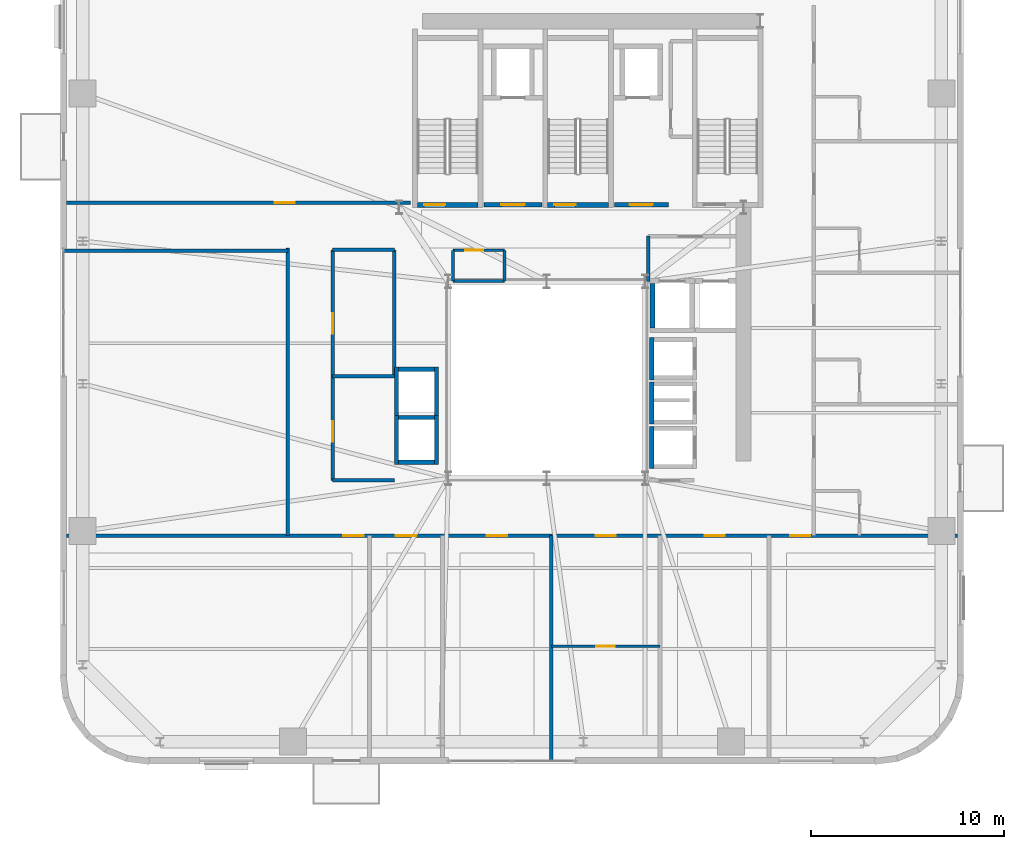
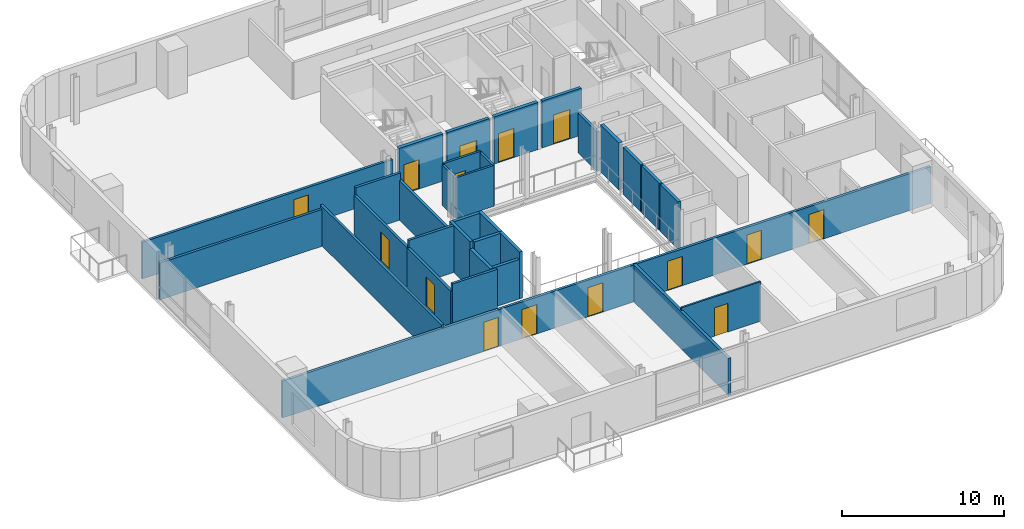
# One storey, part 8 of 16: 32 walls, 15 doors, 15 openings.
"""IFC4 building model written with IfcOpenShell, lengths in metres."""

from ifc_helpers import new_model, si_unit, direction, frame, frame_2d, origin, place, context, subcontext, project, spatial, rectangle, extrude, source, transform, mapped, material, layer, layer_set, type_object, element, fill, save


model = new_model("IFC4")

# Units and contexts
model_context = context("Model", 3, precision=1e-05, world=origin(), true_north=direction((0.0, 1.0)))
body_context = subcontext(model_context, "Body", "Model", "MODEL_VIEW")
ifc_project = project(units=[si_unit("LENGTHUNIT", "METRE"), si_unit("AREAUNIT", "SQUARE_METRE"), si_unit("VOLUMEUNIT", "CUBIC_METRE"), si_unit("PLANEANGLEUNIT", "RADIAN"), si_unit("MASSUNIT", "GRAM", prefix="KILO")], contexts=[model_context])

# Site, building, storey
site_placement = place(None, origin())
site = spatial("IfcSite", under=ifc_project, at=site_placement, CompositionType="ELEMENT")
building_placement = place(site_placement, origin())
building = spatial("IfcBuilding", under=site, at=building_placement, Name="Vardaveli Station Tower", CompositionType="ELEMENT")
storey_placement = place(building_placement, frame((0.0, 0.0, 226.050048828125)))
storey = spatial("IfcBuildingStorey", under=building, at=storey_placement, Name="L58", CompositionType="ELEMENT", Elevation=226.050048828125)

# Wall, opening, door
ifc_material_1 = material(Name="Concrete C40/50", Category="concrete")
ifc_layer_1 = layer(ifc_material_1, 0.25, Name="Concrete C40/50")
ifc_layer_set_1 = layer_set([ifc_layer_1], Name="Concrete C40/50")
wall_type_1 = type_object("IfcWallType", Name="WAL-SHAFT-250", PredefinedType="SOLIDWALL", material=ifc_layer_set_1)
shared_shape_1 = source(origin(), body_context, "Body", "SweptSolid", [
    extrude(rectangle(XDim=3.14990234375, YDim=0.25, at=frame_2d((1.574951171875, 0.0))), origin(), (0.0, 0.0, 1.0), 3.550048828125),
])
wall_1_placement = place(storey_placement, frame((29.60009765625, 30.77490234375, 0.0), z_axis=(0.0, 0.0, 1.0), x_axis=(1.0, 0.0, 0.0)))
wall_1 = element("IfcWall", 1, at=wall_1_placement, inside=storey, type_object=wall_type_1, Name="W-L58-ST-1S", PredefinedType="SOLIDWALL", context=body_context, shape_type="MappedRepresentation", body=[
    mapped(shared_shape_1, transform((0.0, 0.0, 0.0), scale=1.0)),
])
shared_shape_2 = source(origin(), body_context, "Body", "SweptSolid", [
    extrude(rectangle(XDim=1.10009765625, YDim=2.199951171875, at=frame_2d((0.550048828125, 1.10009765625))), frame((0.0, 0.135009765625, 0.0), z_axis=(0.0, -1.0, 0.0), x_axis=(1.0, 0.0, 0.0)), (0.0, 0.0, 1.0), 0.27001953125),
])
opening_1_placement = place(wall_1_placement, frame((0.35009765625, 0.0, 0.0)))
opening_1 = element("IfcOpeningElement", 2, at=opening_1_placement, cuts=wall_1, Name="Opening D-04", PredefinedType="OPENING", context=body_context, shape_type="MappedRepresentation", body=[
    mapped(shared_shape_2, transform((0.0, 0.0, 0.0), scale=1.0)),
])
ifc_material_2 = material(Name="Steel smokeproof fire doorset", Category="steel")
door_type_1 = type_object("IfcDoorType", Name="DR-ST-1100x2200", OperationType="NOTDEFINED", PredefinedType="DOOR", material=ifc_material_2)
shared_shape_3 = source(origin(), body_context, "Body", "SweptSolid", [
    extrude(rectangle(XDim=1.10009765625, YDim=2.199951171875, at=frame_2d((0.550048828125, 1.10009765625))), frame((0.0, 0.02490234375, 0.0), z_axis=(0.0, -1.0, 0.0), x_axis=(1.0, 0.0, 0.0)), (0.0, 0.0, 1.0), 0.050048828125),
])
door_1_placement = place(opening_1_placement, origin())
door_1 = element("IfcDoor", 3, at=door_1_placement, inside=storey, type_object=door_type_1, Name="DST-1-L58", OperationType="SINGLE_SWING_LEFT", OverallHeight=2.199951171875, OverallWidth=1.10009765625, PredefinedType="DOOR", context=body_context, shape_type="MappedRepresentation", body=[
    mapped(shared_shape_3, transform((0.0, 0.0, 0.0), scale=1.0)),
])
fill(opening_1, door_1)

wall_2_placement = place(storey_placement, frame((36.35009765625, 30.77490234375, 0.0), z_axis=(0.0, 0.0, 1.0), x_axis=(1.0, 0.0, 0.0)))
wall_2 = element("IfcWall", 4, at=wall_2_placement, inside=storey, type_object=wall_type_1, Name="W-L58-ST-2S", PredefinedType="SOLIDWALL", context=body_context, shape_type="MappedRepresentation", body=[
    mapped(shared_shape_1, transform((0.0, 0.0, 0.0), scale=1.0)),
])
opening_2_placement = place(wall_2_placement, frame((0.35009765625, 0.0, 0.0)))
opening_2 = element("IfcOpeningElement", 5, at=opening_2_placement, cuts=wall_2, Name="Opening D-04", PredefinedType="OPENING", context=body_context, shape_type="MappedRepresentation", body=[
    mapped(shared_shape_2, transform((0.0, 0.0, 0.0), scale=1.0)),
])
door_2_placement = place(opening_2_placement, origin())
door_2 = element("IfcDoor", 6, at=door_2_placement, inside=storey, type_object=door_type_1, Name="DST-2-L58", OperationType="SINGLE_SWING_LEFT", OverallHeight=2.199951171875, OverallWidth=1.10009765625, PredefinedType="DOOR", context=body_context, shape_type="MappedRepresentation", body=[
    mapped(shared_shape_3, transform((0.0, 0.0, 0.0), scale=1.0)),
])
fill(opening_2, door_2)

ifc_layer_2 = layer(ifc_material_1, 0.219970703125, Name="Concrete C40/50")
ifc_layer_set_2 = layer_set([ifc_layer_2], Name="Concrete C40/50")
wall_type_2 = type_object("IfcWallType", Name="WAL-FFLOBBY-220", PredefinedType="SOLIDWALL", material=ifc_layer_set_2)
shared_shape_4 = source(origin(), body_context, "Body", "SweptSolid", [
    extrude(rectangle(XDim=3.0, YDim=0.219970703125, at=frame_2d((1.5, 0.0))), origin(), (0.0, 0.0, 1.0), 3.530029296875),
])
wall_3_placement = place(storey_placement, frame((33.050048828125, 30.780029296875, 0.0), z_axis=(0.0, 0.0, 1.0), x_axis=(1.0, 0.0, 0.0)))
wall_3 = element("IfcWall", 7, at=wall_3_placement, inside=storey, type_object=wall_type_2, Name="W-L58-FFL1S", PredefinedType="SOLIDWALL", context=body_context, shape_type="MappedRepresentation", body=[
    mapped(shared_shape_4, transform((0.0, 0.0, 0.0), scale=1.0)),
])
shared_shape_5 = source(origin(), body_context, "Body", "SweptSolid", [
    extrude(rectangle(XDim=1.199951171875, YDim=2.199951171875, at=frame_2d((0.60009765625, 1.10009765625))), frame((0.0, 0.1201171875, 0.0), z_axis=(0.0, -1.0, 0.0), x_axis=(1.0, 0.0, 0.0)), (0.0, 0.0, 1.0), 0.239990234375),
])
opening_3_placement = place(wall_3_placement, frame((0.89990234375, 0.0, 0.0)))
opening_3 = element("IfcOpeningElement", 8, at=opening_3_placement, cuts=wall_3, Name="Opening D-03", PredefinedType="OPENING", context=body_context, shape_type="MappedRepresentation", body=[
    mapped(shared_shape_5, transform((0.0, 0.0, 0.0), scale=1.0)),
])
door_type_2 = type_object("IfcDoorType", Name="DR-FFL-1200x2200", OperationType="NOTDEFINED", PredefinedType="DOOR", material=ifc_material_2)
shared_shape_6 = source(origin(), body_context, "Body", "SweptSolid", [
    extrude(rectangle(XDim=1.199951171875, YDim=2.199951171875, at=frame_2d((0.60009765625, 1.10009765625))), frame((0.0, 0.02490234375, 0.0), z_axis=(0.0, -1.0, 0.0), x_axis=(1.0, 0.0, 0.0)), (0.0, 0.0, 1.0), 0.050048828125),
])
door_3_placement = place(opening_3_placement, origin())
door_3 = element("IfcDoor", 9, at=door_3_placement, inside=storey, type_object=door_type_2, Name="DFFL1-L58", OperationType="SINGLE_SWING_LEFT", OverallHeight=2.199951171875, OverallWidth=1.199951171875, PredefinedType="DOOR", context=body_context, shape_type="MappedRepresentation", body=[
    mapped(shared_shape_6, transform((0.0, 0.0, 0.0), scale=1.0)),
])
fill(opening_3, door_3)

shared_shape_7 = source(origin(), body_context, "Body", "SweptSolid", [
    extrude(rectangle(XDim=2.800048828125, YDim=0.219970703125, at=frame_2d((1.39990234375, 0.0))), origin(), (0.0, 0.0, 1.0), 3.530029296875),
])
wall_4_placement = place(storey_placement, frame((39.800048828125, 30.780029296875, 0.0), z_axis=(0.0, 0.0, 1.0), x_axis=(1.0, 0.0, 0.0)))
wall_4 = element("IfcWall", 10, at=wall_4_placement, inside=storey, type_object=wall_type_2, Name="W-L58-FFL2S", PredefinedType="SOLIDWALL", context=body_context, shape_type="MappedRepresentation", body=[
    mapped(shared_shape_7, transform((0.0, 0.0, 0.0), scale=1.0)),
])
opening_4_placement = place(wall_4_placement, frame((0.800048828125, 0.0, 0.0)))
opening_4 = element("IfcOpeningElement", 11, at=opening_4_placement, cuts=wall_4, Name="Opening D-03", PredefinedType="OPENING", context=body_context, shape_type="MappedRepresentation", body=[
    mapped(shared_shape_5, transform((0.0, 0.0, 0.0), scale=1.0)),
])
door_4_placement = place(opening_4_placement, origin())
door_4 = element("IfcDoor", 12, at=door_4_placement, inside=storey, type_object=door_type_2, Name="DFFL2-L58", OperationType="SINGLE_SWING_RIGHT", OverallHeight=2.199951171875, OverallWidth=1.199951171875, PredefinedType="DOOR", context=body_context, shape_type="MappedRepresentation", body=[
    mapped(shared_shape_6, transform((0.0, 0.0, 0.0), scale=1.0)),
])
fill(opening_4, door_4)

# Walls
shared_shape_8 = source(origin(), body_context, "Body", "SweptSolid", [
    extrude(rectangle(XDim=2.18994140625, YDim=0.219970703125, at=frame_2d((1.094970703125, 0.0))), origin(), (0.0, 0.0, 1.0), 3.530029296875),
])
for number, where, z_axis, x_axis, name in (
    (13, (41.739990234375, 21.705078125, 0.0), (0.0, 0.0, 1.0), (0.0, 1.0, 0.0), "SHW-HL3-01-L58-W"),
    (14, (41.739990234375, 19.405029296875, 0.0), (0.0, 0.0, 1.0), (0.0, 1.0, 0.0), "SHW-HL3-02-L58-W"),
    (15, (41.739990234375, 17.10498046875, 0.0), (0.0, 0.0, 1.0), (0.0, 1.0, 0.0), "SHW-HL3-03-L58-W"),
):
    element("IfcWall", number, at=place(storey_placement, frame(where, z_axis=z_axis, x_axis=x_axis)), inside=storey, type_object=wall_type_2, Name=name, PredefinedType="SOLIDWALL", context=body_context, shape_type="MappedRepresentation", body=[
        mapped(shared_shape_8, transform((0.0, 0.0, 0.0), scale=1.0)),
    ])
shared_shape_9 = source(origin(), body_context, "Body", "SweptSolid", [
    extrude(rectangle(XDim=1.85009765625, YDim=0.219970703125, at=frame_2d((0.925048828125, 0.0))), origin(), (0.0, 0.0, 1.0), 2.971923828125),
])
wall_5_placement = place(storey_placement, frame((28.625, 17.43994140625, 0.0), z_axis=(0.0, 0.0, 1.0), x_axis=(1.0, 0.0, 0.0)))
element("IfcWall", 16, at=wall_5_placement, inside=storey, type_object=wall_type_2, Name="SHW-OBS-01-L58-S", PredefinedType="SOLIDWALL", context=body_context, shape_type="MappedRepresentation", body=[
    mapped(shared_shape_9, transform((0.0, 0.0, 0.0), scale=1.0)),
])
shared_shape_10 = source(origin(), body_context, "Body", "SweptSolid", [
    extrude(rectangle(XDim=1.85009765625, YDim=0.219970703125, at=frame_2d((0.925048828125, 0.0))), origin(), (0.0, 0.0, 1.0), 3.530029296875),
])
for number, where, z_axis, x_axis, name in (
    (17, (28.625, 19.760009765625, 0.0), (0.0, 0.0, 1.0), (1.0, 0.0, 0.0), "SHW-OBS-01-L58-N"),
    (18, (28.625, 22.260009765625, 0.0), (0.0, 0.0, 1.0), (1.0, 0.0, 0.0), "SHW-OBS-02-L58-N"),
):
    element("IfcWall", number, at=place(storey_placement, frame(where, z_axis=z_axis, x_axis=x_axis)), inside=storey, type_object=wall_type_2, Name=name, PredefinedType="SOLIDWALL", context=body_context, shape_type="MappedRepresentation", body=[
        mapped(shared_shape_10, transform((0.0, 0.0, 0.0), scale=1.0)),
    ])
shared_shape_11 = source(origin(), body_context, "Body", "SweptSolid", [
    extrude(rectangle(XDim=2.5400390625, YDim=0.219970703125, at=frame_2d((1.27001953125, 0.0))), origin(), (0.0, 0.0, 1.0), 2.971923828125),
])
wall_6_placement = place(storey_placement, frame((28.514892578125, 17.330078125, 0.0), z_axis=(0.0, 0.0, 1.0), x_axis=(0.0, 1.0, 0.0)))
element("IfcWall", 19, at=wall_6_placement, inside=storey, type_object=wall_type_2, Name="SHW-OBS-01-L58-W", PredefinedType="SOLIDWALL", context=body_context, shape_type="MappedRepresentation", body=[
    mapped(shared_shape_11, transform((0.0, 0.0, 0.0), scale=1.0)),
])
shared_shape_12 = source(origin(), body_context, "Body", "SweptSolid", [
    extrude(rectangle(XDim=2.5400390625, YDim=0.219970703125, at=frame_2d((1.27001953125, 0.0))), origin(), (0.0, 0.0, 1.0), 3.530029296875),
])
for number, where, z_axis, x_axis, name in (
    (20, (30.5849609375, 17.330078125, 0.0), (0.0, 0.0, 1.0), (0.0, 1.0, 0.0), "SHW-OBS-01-L58-E"),
    (21, (28.514892578125, 19.830078125, 0.0), (0.0, 0.0, 1.0), (0.0, 1.0, 0.0), "SHW-OBS-02-L58-W"),
    (22, (30.5849609375, 19.830078125, 0.0), (0.0, 0.0, 1.0), (0.0, 1.0, 0.0), "SHW-OBS-02-L58-E"),
):
    element("IfcWall", number, at=place(storey_placement, frame(where, z_axis=z_axis, x_axis=x_axis)), inside=storey, type_object=wall_type_2, Name=name, PredefinedType="SOLIDWALL", context=body_context, shape_type="MappedRepresentation", body=[
        mapped(shared_shape_12, transform((0.0, 0.0, 0.0), scale=1.0)),
    ])
shared_shape_13 = source(origin(), body_context, "Body", "SweptSolid", [
    extrude(rectangle(XDim=2.300048828125, YDim=0.25, at=frame_2d((1.14990234375, 0.0))), origin(), (0.0, 0.0, 1.0), 3.530029296875),
])
wall_7_placement = place(storey_placement, frame((41.77490234375, 24.39990234375, 0.0), z_axis=(0.0, 0.0, 1.0), x_axis=(0.0, 1.0, 0.0)))
element("IfcWall", 23, at=wall_7_placement, inside=storey, type_object=wall_type_1, Name="SHW-SRV-01-L58-W", PredefinedType="SOLIDWALL", context=body_context, shape_type="MappedRepresentation", body=[
    mapped(shared_shape_13, transform((0.0, 0.0, 0.0), scale=1.0)),
])

# Wall, openings, doors
ifc_material_3 = material(Name="Fire-rated gypsum stud partition")
ifc_layer_3 = layer(ifc_material_3, 0.179931640625, Name="Fire-rated gypsum stud partition")
ifc_layer_set_3 = layer_set([ifc_layer_3], Name="Fire-rated gypsum stud partition")
wall_type_3 = type_object("IfcWallType", Name="WAL-CORR-180", PredefinedType="PARTITIONING", material=ifc_layer_set_3)
shared_shape_14 = source(origin(), body_context, "Body", "SweptSolid", [
    extrude(rectangle(XDim=46.15576171875, YDim=0.179931640625, at=frame_2d((23.077880859375, 0.0))), origin(), (0.0, 0.0, 1.0), 2.77197265625),
])
wall_8_placement = place(storey_placement, frame((11.422119140625, 13.6298828125, 0.0), z_axis=(0.0, 0.0, 1.0), x_axis=(1.0, 0.0, 0.0)))
wall_8 = element("IfcWall", 24, at=wall_8_placement, inside=storey, type_object=wall_type_3, Name="W-L58-CS", PredefinedType="PARTITIONING", context=body_context, shape_type="MappedRepresentation", body=[
    mapped(shared_shape_14, transform((0.0, 0.0, 0.0), scale=1.0)),
])
shared_shape_15 = source(origin(), body_context, "Body", "SweptSolid", [
    extrude(rectangle(XDim=1.050048828125, YDim=2.199951171875, at=frame_2d((0.52490234375, 1.10009765625))), frame((0.0, 0.10009765625, 0.0), z_axis=(0.0, -1.0, 0.0), x_axis=(1.0, 0.0, 0.0)), (0.0, 0.0, 1.0), 0.199951171875),
])
opening_5_placement = place(wall_8_placement, frame((14.33837890625, 0.0, 0.0)))
opening_5 = element("IfcOpeningElement", 25, at=opening_5_placement, cuts=wall_8, Name="Opening D-05", PredefinedType="OPENING", context=body_context, shape_type="MappedRepresentation", body=[
    mapped(shared_shape_15, transform((0.0, 0.0, 0.0), scale=1.0)),
])
opening_6_placement = place(wall_8_placement, frame((17.059326171875, 0.0, 0.0)))
opening_6 = element("IfcOpeningElement", 26, at=opening_6_placement, cuts=wall_8, Name="Opening D-05", PredefinedType="OPENING", context=body_context, shape_type="MappedRepresentation", body=[
    mapped(shared_shape_15, transform((0.0, 0.0, 0.0), scale=1.0)),
])
opening_7_placement = place(wall_8_placement, frame((21.771728515625, 0.0, 0.0)))
opening_7 = element("IfcOpeningElement", 27, at=opening_7_placement, cuts=wall_8, Name="Opening D-05", PredefinedType="OPENING", context=body_context, shape_type="MappedRepresentation", body=[
    mapped(shared_shape_15, transform((0.0, 0.0, 0.0), scale=1.0)),
])
opening_8_placement = place(wall_8_placement, frame((27.414306640625, 0.0, 0.0)))
opening_8 = element("IfcOpeningElement", 28, at=opening_8_placement, cuts=wall_8, Name="Opening D-05", PredefinedType="OPENING", context=body_context, shape_type="MappedRepresentation", body=[
    mapped(shared_shape_15, transform((0.0, 0.0, 0.0), scale=1.0)),
])
opening_9_placement = place(wall_8_placement, frame((33.056640625, 0.0, 0.0)))
opening_9 = element("IfcOpeningElement", 29, at=opening_9_placement, cuts=wall_8, Name="Opening D-05", PredefinedType="OPENING", context=body_context, shape_type="MappedRepresentation", body=[
    mapped(shared_shape_15, transform((0.0, 0.0, 0.0), scale=1.0)),
])
opening_10_placement = place(wall_8_placement, frame((37.498046875, 0.0, 0.0)))
opening_10 = element("IfcOpeningElement", 30, at=opening_10_placement, cuts=wall_8, Name="Opening D-05", PredefinedType="OPENING", context=body_context, shape_type="MappedRepresentation", body=[
    mapped(shared_shape_15, transform((0.0, 0.0, 0.0), scale=1.0)),
])
ifc_material_4 = material(Name="Walnut veneer acoustic fire door")
door_type_3 = type_object("IfcDoorType", Name="DR-SUITE-1050x2200", OperationType="NOTDEFINED", PredefinedType="DOOR", material=ifc_material_4)
shared_shape_16 = source(origin(), body_context, "Body", "SweptSolid", [
    extrude(rectangle(XDim=1.050048828125, YDim=2.199951171875, at=frame_2d((0.52490234375, 1.10009765625))), frame((0.0, 0.02490234375, 0.0), z_axis=(0.0, -1.0, 0.0), x_axis=(1.0, 0.0, 0.0)), (0.0, 0.0, 1.0), 0.050048828125),
])
door_5_placement = place(opening_5_placement, origin())
door_5 = element("IfcDoor", 31, at=door_5_placement, inside=storey, type_object=door_type_3, Name="D-L58-SA1", OperationType="SINGLE_SWING_LEFT", OverallHeight=2.199951171875, OverallWidth=1.050048828125, PredefinedType="DOOR", context=body_context, shape_type="MappedRepresentation", body=[
    mapped(shared_shape_16, transform((0.0, 0.0, 0.0), scale=1.0)),
])
fill(opening_5, door_5)
door_6_placement = place(opening_6_placement, origin())
door_6 = element("IfcDoor", 32, at=door_6_placement, inside=storey, type_object=door_type_3, Name="D-L58-SA2", OperationType="SINGLE_SWING_RIGHT", OverallHeight=2.199951171875, OverallWidth=1.050048828125, PredefinedType="DOOR", context=body_context, shape_type="MappedRepresentation", body=[
    mapped(shared_shape_16, transform((0.0, 0.0, 0.0), scale=1.0)),
])
fill(opening_6, door_6)
door_7_placement = place(opening_7_placement, origin())
door_7 = element("IfcDoor", 33, at=door_7_placement, inside=storey, type_object=door_type_3, Name="D-L58-SA3", OperationType="SINGLE_SWING_LEFT", OverallHeight=2.199951171875, OverallWidth=1.050048828125, PredefinedType="DOOR", context=body_context, shape_type="MappedRepresentation", body=[
    mapped(shared_shape_16, transform((0.0, 0.0, 0.0), scale=1.0)),
])
fill(opening_7, door_7)
door_8_placement = place(opening_8_placement, origin())
door_8 = element("IfcDoor", 34, at=door_8_placement, inside=storey, type_object=door_type_3, Name="D-L58-SCB4", OperationType="SINGLE_SWING_RIGHT", OverallHeight=2.199951171875, OverallWidth=1.050048828125, PredefinedType="DOOR", context=body_context, shape_type="MappedRepresentation", body=[
    mapped(shared_shape_16, transform((0.0, 0.0, 0.0), scale=1.0)),
])
fill(opening_8, door_8)
door_9_placement = place(opening_9_placement, origin())
door_9 = element("IfcDoor", 35, at=door_9_placement, inside=storey, type_object=door_type_3, Name="D-L58-SA5", OperationType="SINGLE_SWING_LEFT", OverallHeight=2.199951171875, OverallWidth=1.050048828125, PredefinedType="DOOR", context=body_context, shape_type="MappedRepresentation", body=[
    mapped(shared_shape_16, transform((0.0, 0.0, 0.0), scale=1.0)),
])
fill(opening_9, door_9)
door_10_placement = place(opening_10_placement, origin())
door_10 = element("IfcDoor", 36, at=door_10_placement, inside=storey, type_object=door_type_3, Name="D-L58-SA6", OperationType="SINGLE_SWING_RIGHT", OverallHeight=2.199951171875, OverallWidth=1.050048828125, PredefinedType="DOOR", context=body_context, shape_type="MappedRepresentation", body=[
    mapped(shared_shape_16, transform((0.0, 0.0, 0.0), scale=1.0)),
])
fill(opening_10, door_10)

# Wall, opening, door
shared_shape_17 = source(origin(), body_context, "Body", "SweptSolid", [
    extrude(rectangle(XDim=17.827880859375, YDim=0.179931640625, at=frame_2d((8.9140625, 0.0))), origin(), (0.0, 0.0, 1.0), 2.77197265625),
])
wall_9_placement = place(storey_placement, frame((11.422119140625, 30.8798828125, 0.0), z_axis=(0.0, 0.0, 1.0), x_axis=(1.0, 0.0, 0.0)))
wall_9 = element("IfcWall", 37, at=wall_9_placement, inside=storey, type_object=wall_type_3, Name="W-L58-CNWS", PredefinedType="PARTITIONING", context=body_context, shape_type="MappedRepresentation", body=[
    mapped(shared_shape_17, transform((0.0, 0.0, 0.0), scale=1.0)),
])
opening_11_placement = place(wall_9_placement, frame((10.778076171875, 0.0, 0.0)))
opening_11 = element("IfcOpeningElement", 38, at=opening_11_placement, cuts=wall_9, Name="Opening D-05", PredefinedType="OPENING", context=body_context, shape_type="MappedRepresentation", body=[
    mapped(shared_shape_15, transform((0.0, 0.0, 0.0), scale=1.0)),
])
door_11_placement = place(opening_11_placement, origin())
door_11 = element("IfcDoor", 39, at=door_11_placement, inside=storey, type_object=door_type_3, Name="D-L58-GNW1", OperationType="SINGLE_SWING_RIGHT", OverallHeight=2.199951171875, OverallWidth=1.050048828125, PredefinedType="DOOR", context=body_context, shape_type="MappedRepresentation", body=[
    mapped(shared_shape_16, transform((0.0, 0.0, 0.0), scale=1.0)),
])
fill(opening_11, door_11)

# Wall
shared_shape_18 = source(origin(), body_context, "Body", "SweptSolid", [
    extrude(rectangle(XDim=2.349853515625, YDim=0.179931640625, at=frame_2d((1.1748046875, 0.0))), origin(), (0.0, 0.0, 1.0), 2.971923828125),
])
wall_10_placement = place(storey_placement, frame((41.550048828125, 26.800048828125, 0.0), z_axis=(0.0, 0.0, 1.0), x_axis=(0.0, 1.0, 0.0)))
element("IfcWall", 40, at=wall_10_placement, inside=storey, type_object=wall_type_3, Name="W-L58-SVFW", PredefinedType="PARTITIONING", context=body_context, shape_type="MappedRepresentation", body=[
    mapped(shared_shape_18, transform((0.0, 0.0, 0.0), scale=1.0)),
])

# Wall, opening, door
shared_shape_19 = source(origin(), body_context, "Body", "SweptSolid", [
    extrude(rectangle(XDim=6.5400390625, YDim=0.179931640625, at=frame_2d((3.27001953125, 0.0))), origin(), (0.0, 0.0, 1.0), 2.971923828125),
])
wall_11_placement = place(storey_placement, frame((25.199951171875, 21.89990234375, 0.0), z_axis=(0.0, 0.0, 1.0), x_axis=(0.0, 1.0, 0.0)))
wall_11 = element("IfcWall", 41, at=wall_11_placement, inside=storey, type_object=wall_type_3, Name="W-L58-ATW2-W", PredefinedType="PARTITIONING", context=body_context, shape_type="MappedRepresentation", body=[
    mapped(shared_shape_19, transform((0.0, 0.0, 0.0), scale=1.0)),
])
opening_12_placement = place(wall_11_placement, frame((2.199951171875, 0.0, 0.0)))
opening_12 = element("IfcOpeningElement", 42, at=opening_12_placement, cuts=wall_11, Name="Opening D-05", PredefinedType="OPENING", context=body_context, shape_type="MappedRepresentation", body=[
    mapped(shared_shape_15, transform((0.0, 0.0, 0.0), scale=1.0)),
])
door_12_placement = place(opening_12_placement, origin())
door_12 = element("IfcDoor", 43, at=door_12_placement, inside=storey, type_object=door_type_3, Name="D-L58-ATW2", OperationType="SINGLE_SWING_LEFT", OverallHeight=2.199951171875, OverallWidth=1.050048828125, PredefinedType="DOOR", context=body_context, shape_type="MappedRepresentation", body=[
    mapped(shared_shape_16, transform((0.0, 0.0, 0.0), scale=1.0)),
])
fill(opening_12, door_12)

# Wall
wall_12_placement = place(storey_placement, frame((28.39990234375, 21.89990234375, 0.0), z_axis=(0.0, 0.0, 1.0), x_axis=(0.0, 1.0, 0.0)))
element("IfcWall", 44, at=wall_12_placement, inside=storey, type_object=wall_type_3, Name="W-L58-ATW2-E", PredefinedType="PARTITIONING", context=body_context, shape_type="MappedRepresentation", body=[
    mapped(shared_shape_19, transform((0.0, 0.0, 0.0), scale=1.0)),
])

# Wall, opening, door
shared_shape_20 = source(origin(), body_context, "Body", "SweptSolid", [
    extrude(rectangle(XDim=5.39990234375, YDim=0.179931640625, at=frame_2d((2.699951171875, 0.0))), origin(), (0.0, 0.0, 1.0), 2.971923828125),
])
wall_13_placement = place(storey_placement, frame((25.199951171875, 16.5, 0.0), z_axis=(0.0, 0.0, 1.0), x_axis=(0.0, 1.0, 0.0)))
wall_13 = element("IfcWall", 45, at=wall_13_placement, inside=storey, type_object=wall_type_3, Name="W-L58-ATW1-W", PredefinedType="PARTITIONING", context=body_context, shape_type="MappedRepresentation", body=[
    mapped(shared_shape_20, transform((0.0, 0.0, 0.0), scale=1.0)),
])
opening_13_placement = place(wall_13_placement, frame((2.0, 0.0, 0.0)))
opening_13 = element("IfcOpeningElement", 46, at=opening_13_placement, cuts=wall_13, Name="Opening D-05", PredefinedType="OPENING", context=body_context, shape_type="MappedRepresentation", body=[
    mapped(shared_shape_15, transform((0.0, 0.0, 0.0), scale=1.0)),
])
door_13_placement = place(opening_13_placement, origin())
door_13 = element("IfcDoor", 47, at=door_13_placement, inside=storey, type_object=door_type_3, Name="D-L58-ATW1", OperationType="SINGLE_SWING_LEFT", OverallHeight=2.199951171875, OverallWidth=1.050048828125, PredefinedType="DOOR", context=body_context, shape_type="MappedRepresentation", body=[
    mapped(shared_shape_16, transform((0.0, 0.0, 0.0), scale=1.0)),
])
fill(opening_13, door_13)

ifc_material_5 = material(Name="Moisture-resistant stud partition")
ifc_layer_4 = layer(ifc_material_5, 0.14990234375, Name="Moisture-resistant stud partition")
ifc_layer_set_4 = layer_set([ifc_layer_4], Name="Moisture-resistant stud partition")
wall_type_4 = type_object("IfcWallType", Name="WAL-WET-150", PredefinedType="PARTITIONING", material=ifc_layer_set_4)
shared_shape_21 = source(origin(), body_context, "Body", "SweptSolid", [
    extrude(rectangle(XDim=2.670166015625, YDim=0.14990234375, at=frame_2d((1.3349609375, 0.0))), origin(), (0.0, 0.0, 1.0), 3.161865234375),
])
wall_14_placement = place(storey_placement, frame((31.449951171875, 28.419921875, 0.0), z_axis=(0.0, 0.0, 1.0), x_axis=(1.0, 0.0, 0.0)))
wall_14 = element("IfcWall", 48, at=wall_14_placement, inside=storey, type_object=wall_type_4, Name="W-L58-WCA1-N", PredefinedType="PARTITIONING", context=body_context, shape_type="MappedRepresentation", body=[
    mapped(shared_shape_21, transform((0.0, 0.0, 0.0), scale=1.0)),
])
shared_shape_22 = source(origin(), body_context, "Body", "SweptSolid", [
    extrude(rectangle(XDim=0.919921875, YDim=2.10009765625, at=frame_2d((0.4599609375, 1.050048828125))), frame((0.0, 0.0849609375, 0.0), z_axis=(0.0, -1.0, 0.0), x_axis=(1.0, 0.0, 0.0)), (0.0, 0.0, 1.0), 0.169921875),
])
opening_14_placement = place(wall_14_placement, frame((0.6298828125, 0.0, 0.0)))
opening_14 = element("IfcOpeningElement", 49, at=opening_14_placement, cuts=wall_14, Name="Opening D-07", PredefinedType="OPENING", context=body_context, shape_type="MappedRepresentation", body=[
    mapped(shared_shape_22, transform((0.0, 0.0, 0.0), scale=1.0)),
])
ifc_material_6 = material(Name="Moisture-resistant hardwood door", Category="wood")
door_type_4 = type_object("IfcDoorType", Name="DR-WC-920x2100", OperationType="NOTDEFINED", PredefinedType="DOOR", material=ifc_material_6)
shared_shape_23 = source(origin(), body_context, "Body", "SweptSolid", [
    extrude(rectangle(XDim=0.919921875, YDim=2.10009765625, at=frame_2d((0.4599609375, 1.050048828125))), frame((0.0, 0.02490234375, 0.0), z_axis=(0.0, -1.0, 0.0), x_axis=(1.0, 0.0, 0.0)), (0.0, 0.0, 1.0), 0.050048828125),
])
door_14_placement = place(opening_14_placement, origin())
door_14 = element("IfcDoor", 50, at=door_14_placement, inside=storey, type_object=door_type_4, Name="D-L58-WCA", OperationType="SINGLE_SWING_RIGHT", OverallHeight=2.10009765625, OverallWidth=0.919921875, PredefinedType="DOOR", context=body_context, shape_type="MappedRepresentation", body=[
    mapped(shared_shape_23, transform((0.0, 0.0, 0.0), scale=1.0)),
])
fill(opening_14, door_14)

# Walls
shared_shape_24 = source(origin(), body_context, "Body", "SweptSolid", [
    extrude(rectangle(XDim=2.670166015625, YDim=0.14990234375, at=frame_2d((1.3349609375, 0.0))), origin(), (0.0, 0.0, 1.0), 3.072021484375),
])
wall_15_placement = place(storey_placement, frame((31.449951171875, 26.820068359375, 0.0), z_axis=(0.0, 0.0, 1.0), x_axis=(1.0, 0.0, 0.0)))
element("IfcWall", 51, at=wall_15_placement, inside=storey, type_object=wall_type_4, Name="W-L58-WCA1-S", PredefinedType="PARTITIONING", context=body_context, shape_type="MappedRepresentation", body=[
    mapped(shared_shape_24, transform((0.0, 0.0, 0.0), scale=1.0)),
])
shared_shape_25 = source(origin(), body_context, "Body", "SweptSolid", [
    extrude(rectangle(XDim=1.599853515625, YDim=0.14990234375, at=frame_2d((0.7998046875, 0.0))), origin(), (0.0, 0.0, 1.0), 3.072021484375),
])
for number, where, z_axis, x_axis, name in (
    (52, (31.449951171875, 26.820068359375, 0.0), (0.0, 0.0, 1.0), (0.0, 1.0, 0.0), "W-L58-WCA1-W"),
    (53, (34.1201171875, 26.820068359375, 0.0), (0.0, 0.0, 1.0), (0.0, 1.0, 0.0), "W-L58-WCA1-E"),
):
    element("IfcWall", number, at=place(storey_placement, frame(where, z_axis=z_axis, x_axis=x_axis)), inside=storey, type_object=wall_type_4, Name=name, PredefinedType="PARTITIONING", context=body_context, shape_type="MappedRepresentation", body=[
        mapped(shared_shape_25, transform((0.0, 0.0, 0.0), scale=1.0)),
    ])
shared_shape_26 = source(origin(), body_context, "Body", "SweptSolid", [
    extrude(rectangle(XDim=14.920166015625, YDim=0.179931640625, at=frame_2d((7.4599609375, 0.0))), origin(), (0.0, 0.0, 1.0), 2.971923828125),
])
wall_16_placement = place(storey_placement, frame((22.8798828125, 13.6298828125, 0.0), z_axis=(0.0, 0.0, 1.0), x_axis=(0.0, 1.0, 0.0)))
element("IfcWall", 54, at=wall_16_placement, inside=storey, type_object=wall_type_3, Name="W-L58-CW", PredefinedType="PARTITIONING", context=body_context, shape_type="MappedRepresentation", body=[
    mapped(shared_shape_26, transform((0.0, 0.0, 0.0), scale=1.0)),
])
ifc_material_7 = material(Name="Acoustic twin-stud gypsum partition")
ifc_layer_5 = layer(ifc_material_7, 0.199951171875, Name="Acoustic twin-stud gypsum partition")
ifc_layer_set_5 = layer_set([ifc_layer_5], Name="Acoustic twin-stud gypsum partition")
wall_type_5 = type_object("IfcWallType", Name="WAL-PARTY-200", PredefinedType="PARTITIONING", material=ifc_layer_set_5)
shared_shape_27 = source(origin(), body_context, "Body", "SweptSolid", [
    extrude(rectangle(XDim=11.699951171875, YDim=0.199951171875, at=frame_2d((5.85009765625, 0.0))), origin(), (0.0, 0.0, 1.0), 2.77197265625),
])
wall_17_placement = place(storey_placement, frame((36.534912109375, 1.929931640625, 0.0), z_axis=(0.0, 0.0, 1.0), x_axis=(0.0, 1.0, 0.0)))
element("IfcWall", 55, at=wall_17_placement, inside=storey, type_object=wall_type_5, Name="W-L58-PS3", PredefinedType="PARTITIONING", context=body_context, shape_type="MappedRepresentation", body=[
    mapped(shared_shape_27, transform((0.0, 0.0, 0.0), scale=1.0)),
])

# Wall, opening, door
ifc_material_8 = material(Name="Gypsum board stud partition")
ifc_layer_6 = layer(ifc_material_8, 0.125, Name="Gypsum board stud partition")
ifc_layer_set_6 = layer_set([ifc_layer_6], Name="Gypsum board stud partition")
wall_type_6 = type_object("IfcWallType", Name="WAL-INT-125", PredefinedType="PARTITIONING", material=ifc_layer_set_6)
shared_shape_28 = source(origin(), body_context, "Body", "SweptSolid", [
    extrude(rectangle(XDim=5.64306640625, YDim=0.125, at=frame_2d((2.821533203125, 0.0))), origin(), (0.0, 0.0, 1.0), 2.971923828125),
])
wall_18_placement = place(storey_placement, frame((36.534912109375, 7.889892578125, 0.0), z_axis=(0.0, 0.0, 1.0), x_axis=(1.0, 0.0, 0.0)))
wall_18 = element("IfcWall", 56, at=wall_18_placement, inside=storey, type_object=wall_type_6, Name="W-L58-SCM4", PredefinedType="PARTITIONING", context=body_context, shape_type="MappedRepresentation", body=[
    mapped(shared_shape_28, transform((0.0, 0.0, 0.0), scale=1.0)),
])
shared_shape_29 = source(origin(), body_context, "Body", "SweptSolid", [
    extrude(rectangle(XDim=0.949951171875, YDim=2.14990234375, at=frame_2d((0.47509765625, 1.074951171875))), frame((0.0, 0.072509765625, 0.0), z_axis=(0.0, -1.0, 0.0), x_axis=(1.0, 0.0, 0.0)), (0.0, 0.0, 1.0), 0.14501953125),
])
opening_15_placement = place(wall_18_placement, frame((2.34130859375, 0.0, 0.0)))
opening_15 = element("IfcOpeningElement", 57, at=opening_15_placement, cuts=wall_18, Name="Opening D-11", PredefinedType="OPENING", context=body_context, shape_type="MappedRepresentation", body=[
    mapped(shared_shape_29, transform((0.0, 0.0, 0.0), scale=1.0)),
])
ifc_material_9 = material(Name="Oak veneer internal suite door")
door_type_5 = type_object("IfcDoorType", Name="DR-INT-950x2150", OperationType="NOTDEFINED", PredefinedType="DOOR", material=ifc_material_9)
shared_shape_30 = source(origin(), body_context, "Body", "SweptSolid", [
    extrude(rectangle(XDim=0.949951171875, YDim=2.14990234375, at=frame_2d((0.47509765625, 1.074951171875))), frame((0.0, 0.02490234375, 0.0), z_axis=(0.0, -1.0, 0.0), x_axis=(1.0, 0.0, 0.0)), (0.0, 0.0, 1.0), 0.050048828125),
])
door_15_placement = place(opening_15_placement, origin())
door_15 = element("IfcDoor", 58, at=door_15_placement, inside=storey, type_object=door_type_5, Name="D-L58-SCF4", OperationType="SINGLE_SWING_RIGHT", OverallHeight=2.14990234375, OverallWidth=0.949951171875, PredefinedType="DOOR", context=body_context, shape_type="MappedRepresentation", body=[
    mapped(shared_shape_30, transform((0.0, 0.0, 0.0), scale=1.0)),
])
fill(opening_15, door_15)

# Walls
shared_shape_31 = source(origin(), body_context, "Body", "SweptSolid", [
    extrude(rectangle(XDim=11.64990234375, YDim=0.179931640625, at=frame_2d((5.824951171875, 0.0))), origin(), (0.0, 0.0, 1.0), 2.77197265625),
])
wall_19_placement = place(storey_placement, frame((11.22998046875, 28.39990234375, 0.0), z_axis=(0.0, 0.0, 1.0), x_axis=(1.0, 0.0, 0.0)))
element("IfcWall", 59, at=wall_19_placement, inside=storey, type_object=wall_type_3, Name="W-L58-CWN", PredefinedType="PARTITIONING", context=body_context, shape_type="MappedRepresentation", body=[
    mapped(shared_shape_31, transform((0.0, 0.0, 0.0), scale=1.0)),
])
shared_shape_32 = source(origin(), body_context, "Body", "SweptSolid", [
    extrude(rectangle(XDim=3.199951171875, YDim=0.179931640625, at=frame_2d((1.60009765625, 0.0))), origin(), (0.0, 0.0, 1.0), 3.530029296875),
])
for number, where, z_axis, x_axis, name in (
    (60, (25.199951171875, 16.5, 0.0), (0.0, 0.0, 1.0), (1.0, 0.0, 0.0), "W-L58-ATW1-S"),
    (61, (25.199951171875, 21.89990234375, 0.0), (0.0, 0.0, 1.0), (1.0, 0.0, 0.0), "W-L58-ATW1-N"),
    (62, (25.199951171875, 28.43994140625, 0.0), (0.0, 0.0, 1.0), (1.0, 0.0, 0.0), "W-L58-ATW2-N"),
):
    element("IfcWall", number, at=place(storey_placement, frame(where, z_axis=z_axis, x_axis=x_axis)), inside=storey, type_object=wall_type_3, Name=name, PredefinedType="PARTITIONING", context=body_context, shape_type="MappedRepresentation", body=[
        mapped(shared_shape_32, transform((0.0, 0.0, 0.0), scale=1.0)),
    ])

save(model, "model.ifc")
